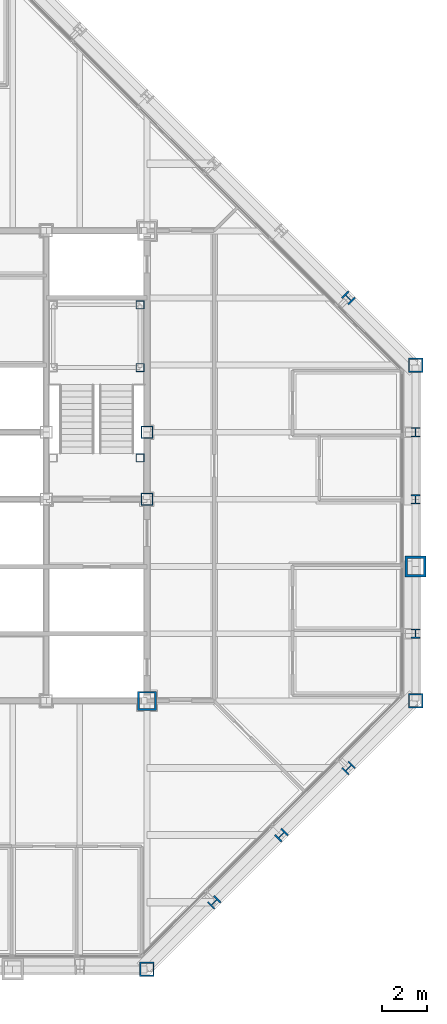
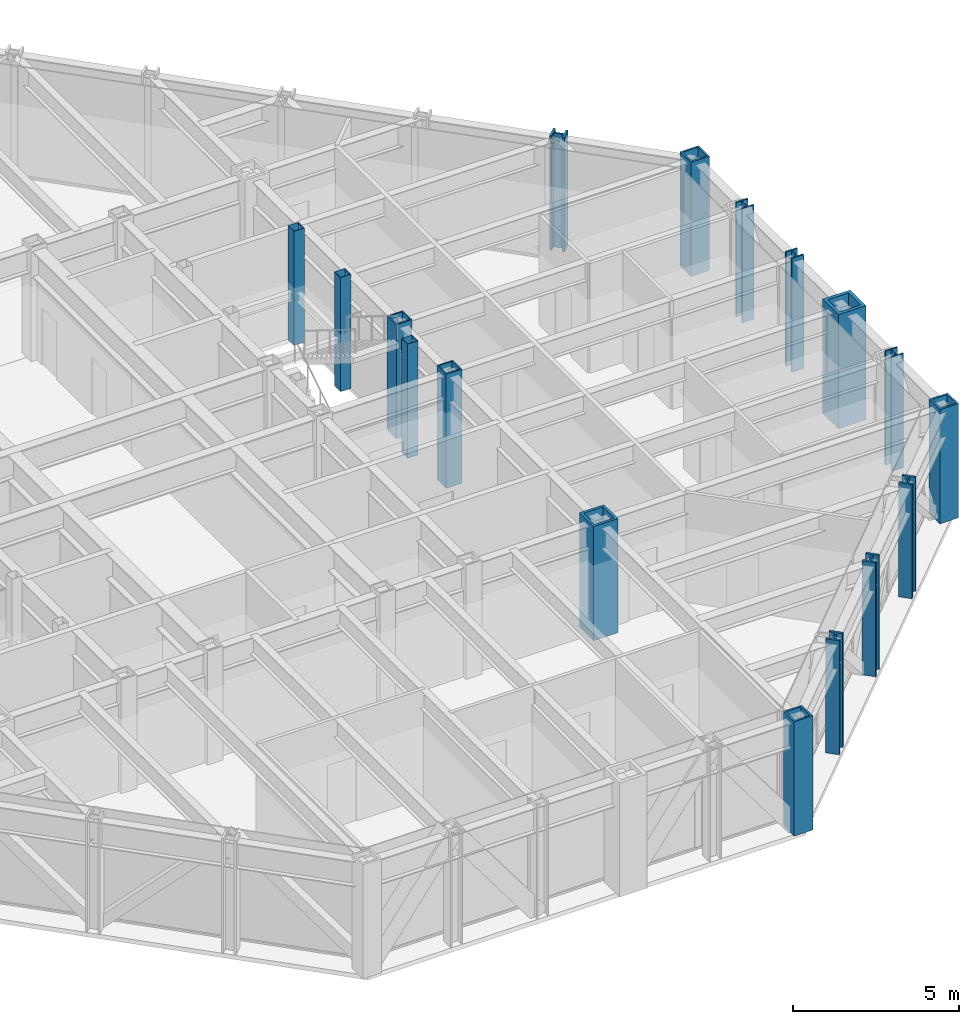
# One storey, part 3 of 16: 17 columns.
"""IFC4 building model written with IfcOpenShell, lengths in metres."""

from ifc_helpers import new_model, si_unit, direction, frame, origin, origin_2d, place, context, subcontext, project, spatial, hollow_rectangle, i_section, extrude, material, material_profile, profile_set, type_object, element, save


model = new_model("IFC4")

# Units and contexts
model_context = context("Model", 3, precision=1e-05, world=origin(), true_north=direction((0.0, 1.0)))
body_context = subcontext(model_context, "Body", "Model", "MODEL_VIEW")
ifc_project = project(units=[si_unit("LENGTHUNIT", "METRE"), si_unit("AREAUNIT", "SQUARE_METRE"), si_unit("VOLUMEUNIT", "CUBIC_METRE"), si_unit("PLANEANGLEUNIT", "RADIAN"), si_unit("MASSUNIT", "GRAM", prefix="KILO")], contexts=[model_context])

# Site, building, storey
site_placement = place(None, origin())
site = spatial("IfcSite", under=ifc_project, at=site_placement, CompositionType="ELEMENT")
building_placement = place(site_placement, origin())
building = spatial("IfcBuilding", under=site, at=building_placement, Name="Chuquiago Exchange Tower", CompositionType="ELEMENT")
storey_placement = place(building_placement, frame((0.0, 0.0, 222.300048828125)))
storey = spatial("IfcBuildingStorey", under=building, at=storey_placement, Name="L49", CompositionType="ELEMENT", Elevation=222.300048828125)

# Columns
ifc_material_1 = material(Name="Steel ASTM A992", Category="steel")
ifc_material_profile_1 = material_profile(ifc_material_1, i_section(OverallWidth=0.408935546875, OverallDepth=0.424072265625, WebThickness=0.03271484375, FlangeThickness=0.052490234375, at=origin_2d()), Name="W14X283")
ifc_profile_set_1 = profile_set([ifc_material_profile_1], Name="Steel ASTM A992")
column_type_1 = type_object("IfcColumnType", Name="C8 W14X283", PredefinedType="COLUMN", material=ifc_profile_set_1)
for number, where, z_axis, x_axis, name in (
    (1, (45.0, 15.0, 0.0), (0.0, 0.0, 1.0), (1.0, 0.0, 0.0), "COL-L49-45_15"),
    (2, (45.0, 21.0, 0.0), (0.0, 0.0, 1.0), (1.0, 0.0, 0.0), "COL-L49-45_21"),
    (3, (45.0, 24.0, 0.0), (0.0, 0.0, 1.0), (1.0, 0.0, 0.0), "COL-L49-45_24"),
):
    element("IfcColumn", number, at=place(storey_placement, frame(where, z_axis=z_axis, x_axis=x_axis)), inside=storey, type_object=column_type_1, Name=name, PredefinedType="COLUMN", context=body_context, shape_type="SweptSolid", body=[
        extrude(i_section(OverallWidth=0.408935546875, OverallDepth=0.424072265625, WebThickness=0.03271484375, FlangeThickness=0.052490234375, at=origin_2d()), origin(), (0.0, 0.0, 1.0), 4.199951171875),
    ])
ifc_material_2 = material(Name="Steel ASTM A572 Grade 50", Category="steel")
ifc_material_profile_2 = material_profile(ifc_material_2, hollow_rectangle(XDim=0.85009765625, YDim=0.85009765625, WallThickness=0.0849609375, at=origin_2d()), Name="BOX850X850X85")
ifc_profile_set_2 = profile_set([ifc_material_profile_2], Name="Steel ASTM A572 Grade 50")
column_type_2 = type_object("IfcColumnType", Name="CC6 BOX850X850X85", PredefinedType="COLUMN", material=ifc_profile_set_2)
column_1_placement = place(storey_placement, frame((33.0, 12.0, 0.0), z_axis=(0.0, 0.0, 1.0), x_axis=(1.0, 0.0, 0.0)))
element("IfcColumn", 4, at=column_1_placement, inside=storey, type_object=column_type_2, Name="CCOL-L49-33_12", PredefinedType="COLUMN", context=body_context, shape_type="SweptSolid", body=[
    extrude(hollow_rectangle(XDim=0.85009765625, YDim=0.85009765625, WallThickness=0.0849609375, at=origin_2d()), origin(), (0.0, 0.0, 1.0), 4.199951171875),
])
ifc_material_3 = material(Name="Steel ASTM A572 Grade 50", Category="steel")
ifc_material_profile_3 = material_profile(ifc_material_3, hollow_rectangle(XDim=0.550048828125, YDim=0.550048828125, WallThickness=0.044921875, at=origin_2d()), Name="BOX550X550X45")
ifc_profile_set_3 = profile_set([ifc_material_profile_3], Name="Steel ASTM A572 Grade 50")
column_type_3 = type_object("IfcColumnType", Name="CC8 BOX550X550X45", PredefinedType="COLUMN", material=ifc_profile_set_3)
for number, where, z_axis, x_axis, name in (
    (5, (33.0, 21.0, 0.0), (0.0, 0.0, 1.0), (1.0, 0.0, 0.0), "CCOL-L49-33_21"),
    (6, (33.0, 24.0, 0.0), (0.0, 0.0, 1.0), (1.0, 0.0, 0.0), "CCOL-L49-33_24"),
):
    element("IfcColumn", number, at=place(storey_placement, frame(where, z_axis=z_axis, x_axis=x_axis)), inside=storey, type_object=column_type_3, Name=name, PredefinedType="COLUMN", context=body_context, shape_type="SweptSolid", body=[
        extrude(hollow_rectangle(XDim=0.550048828125, YDim=0.550048828125, WallThickness=0.044921875, at=origin_2d()), origin(), (0.0, 0.0, 1.0), 4.199951171875),
    ])
ifc_material_4 = material(Name="Steel ASTM A992", Category="steel")
ifc_material_profile_4 = material_profile(ifc_material_4, i_section(OverallWidth=0.421630859375, OverallDepth=0.46484375, WebThickness=0.044921875, FlangeThickness=0.072509765625, at=origin_2d()), Name="W14X398")
ifc_profile_set_4 = profile_set([ifc_material_profile_4], Name="Steel ASTM A992")
column_type_4 = type_object("IfcColumnType", Name="CK7 W14X398", PredefinedType="COLUMN", material=ifc_profile_set_4)
for number, where, z_axis, x_axis, name in (
    (7, (36.0, 3.0, 0.0), (0.0, 0.0, 1.0), (0.707106781187, -0.707106781187, 0.0), "COL-L49-36_3"),
    (8, (39.0, 6.0, 0.0), (0.0, 0.0, 1.0), (0.707106781187, -0.707106781187, 0.0), "COL-L49-39_6"),
    (9, (42.0, 9.0, 0.0), (0.0, 0.0, 1.0), (0.707106781187, -0.707106781187, 0.0), "COL-L49-42_9"),
    (10, (42.0, 30.0, 0.0), (0.0, 0.0, 1.0), (0.707106781187, 0.707106781187, 0.0), "COL-L49-42_30"),
):
    element("IfcColumn", number, at=place(storey_placement, frame(where, z_axis=z_axis, x_axis=x_axis)), inside=storey, type_object=column_type_4, Name=name, PredefinedType="COLUMN", context=body_context, shape_type="SweptSolid", body=[
        extrude(i_section(OverallWidth=0.421630859375, OverallDepth=0.46484375, WebThickness=0.044921875, FlangeThickness=0.072509765625, at=origin_2d()), origin(), (0.0, 0.0, 1.0), 4.199951171875),
    ])
ifc_material_5 = material(Name="Steel ASTM A572 Grade 50", Category="steel")
ifc_material_profile_5 = material_profile(ifc_material_5, hollow_rectangle(XDim=0.64990234375, YDim=0.64990234375, WallThickness=0.06494140625, at=origin_2d()), Name="BOX650X650X65")
ifc_profile_set_5 = profile_set([ifc_material_profile_5], Name="Steel ASTM A572 Grade 50")
column_type_5 = type_object("IfcColumnType", Name="CN2 BOX650X650X65", PredefinedType="COLUMN", material=ifc_profile_set_5)
for number, where, z_axis, x_axis, name in (
    (11, (33.0, 0.0, 0.0), (0.0, 0.0, 1.0), (0.0, -1.0, 0.0), "COL-L49-33_0"),
    (12, (45.0, 12.0, 0.0), (0.0, 0.0, 1.0), (1.0, 0.0, 0.0), "COL-L49-45_12"),
    (13, (45.0, 27.0, 0.0), (0.0, 0.0, 1.0), (1.0, 0.0, 0.0), "COL-L49-45_27"),
):
    element("IfcColumn", number, at=place(storey_placement, frame(where, z_axis=z_axis, x_axis=x_axis)), inside=storey, type_object=column_type_5, Name=name, PredefinedType="COLUMN", context=body_context, shape_type="SweptSolid", body=[
        extrude(hollow_rectangle(XDim=0.64990234375, YDim=0.64990234375, WallThickness=0.06494140625, at=origin_2d()), origin(), (0.0, 0.0, 1.0), 4.199951171875),
    ])
ifc_material_6 = material(Name="Steel ASTM A572 Grade 42", Category="steel")
ifc_material_profile_6 = material_profile(ifc_material_6, hollow_rectangle(XDim=0.949951171875, YDim=0.949951171875, WallThickness=0.110107421875, at=origin_2d()), Name="BOX950X950X110")
ifc_profile_set_6 = profile_set([ifc_material_profile_6], Name="Steel ASTM A572 Grade 42")
column_type_6 = type_object("IfcColumnType", Name="CT1 BOX950X950X110", PredefinedType="COLUMN", material=ifc_profile_set_6)
column_2_placement = place(storey_placement, frame((45.0, 18.0, 0.0), z_axis=(0.0, 0.0, 1.0), x_axis=(1.0, 0.0, 0.0)))
element("IfcColumn", 14, at=column_2_placement, inside=storey, type_object=column_type_6, Name="COL-L49-45_18", PredefinedType="COLUMN", context=body_context, shape_type="SweptSolid", body=[
    extrude(hollow_rectangle(XDim=0.949951171875, YDim=0.949951171875, WallThickness=0.110107421875, at=origin_2d()), origin(), (0.0, 0.0, 1.0), 4.199951171875),
])
ifc_material_7 = material(Name="Steel ASTM A500 Grade C", Category="steel")
ifc_material_profile_7 = material_profile(ifc_material_7, hollow_rectangle(XDim=0.355712890625, YDim=0.355712890625, WallThickness=0.0087890625, at=origin_2d()), Name="HSS14X14X3/8")
ifc_profile_set_7 = profile_set([ifc_material_profile_7], Name="Steel ASTM A500 Grade C")
column_type_7 = type_object("IfcColumnType", Name="PT1 HSS14X14X3/8", PredefinedType="COLUMN", material=ifc_profile_set_7)
for number, where, z_axis, x_axis, name in (
    (15, (32.68994140625, 29.68994140625, 0.0), (0.0, 0.0, 1.0), (1.0, 0.0, 0.0), "Stair ST2 L49 landing post"),
    (16, (32.68994140625, 26.889892578125, 0.0), (0.0, 0.0, 1.0), (1.0, 0.0, 0.0), "Stair ST2 L49 landing post"),
    (17, (32.68994140625, 22.85009765625, 0.0), (0.0, 0.0, 1.0), (1.0, 0.0, 0.0), "Stair ST2 L49 landing post"),
):
    element("IfcColumn", number, at=place(storey_placement, frame(where, z_axis=z_axis, x_axis=x_axis)), inside=storey, type_object=column_type_7, Name=name, PredefinedType="COLUMN", context=body_context, shape_type="SweptSolid", body=[
        extrude(hollow_rectangle(XDim=0.355712890625, YDim=0.355712890625, WallThickness=0.0087890625, at=origin_2d()), origin(), (0.0, 0.0, 1.0), 4.199951171875),
    ])

save(model, "model.ifc")
